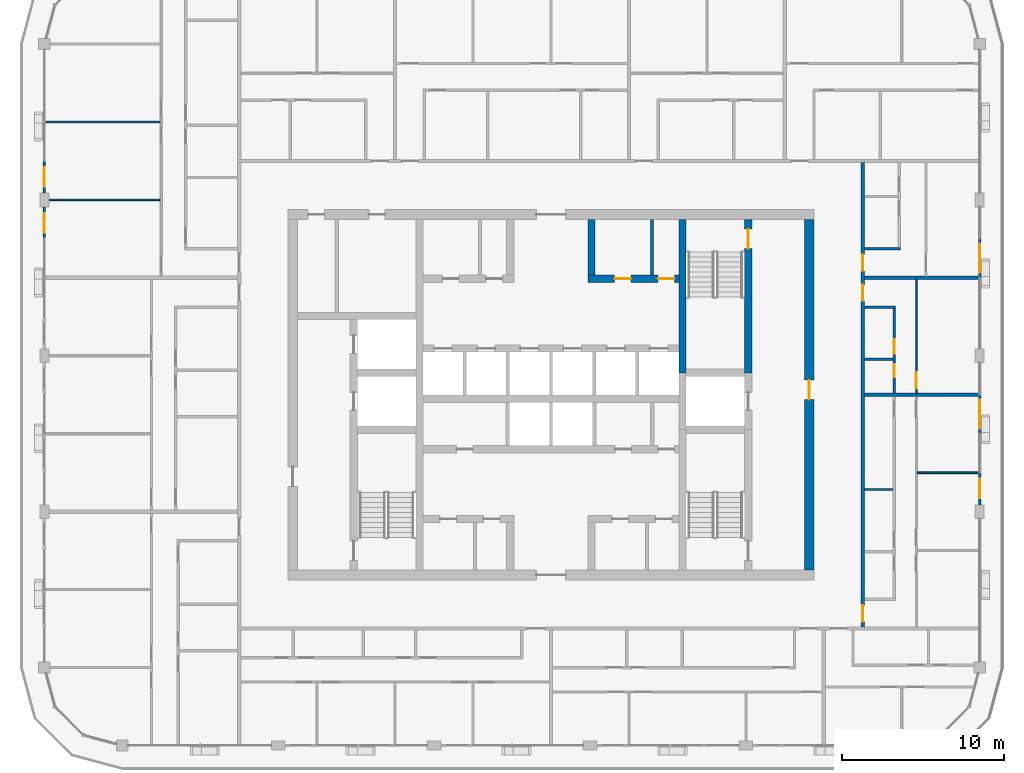
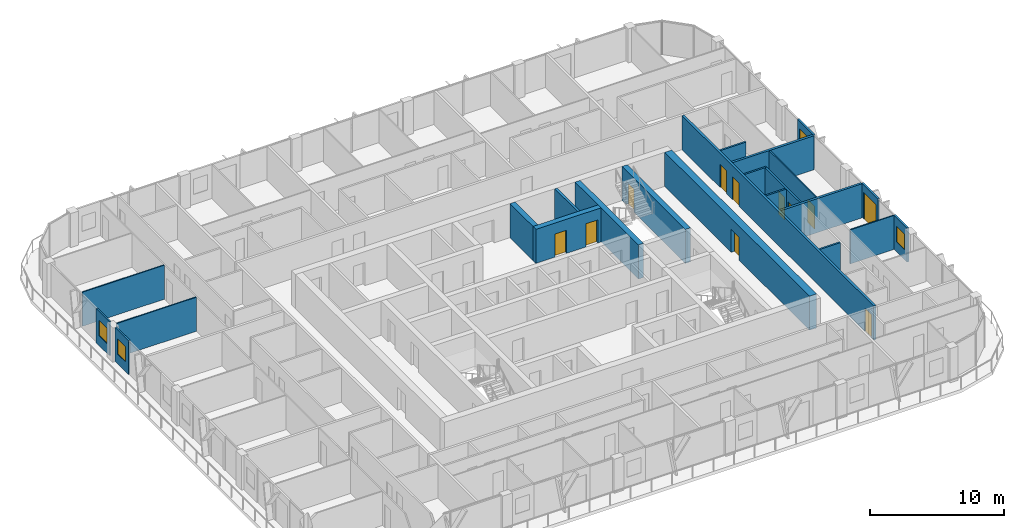
# One storey, part 13 of 22: 23 walls, 12 doors, 3 windows, 15 openings.
"""IFC4 building model written with IfcOpenShell, lengths in metres."""

from ifc_helpers import new_model, si_unit, direction, frame, frame_2d, origin, place, context, subcontext, project, spatial, rectangle, extrude, material, layer, layer_set, type_object, element, fill, save


model = new_model("IFC4")

# Units and contexts
model_context = context("Model", 3, precision=1e-05, world=origin(), true_north=direction((0.0, 1.0)))
body_context = subcontext(model_context, "Body", "Model", "MODEL_VIEW")
ifc_project = project(units=[si_unit("LENGTHUNIT", "METRE"), si_unit("AREAUNIT", "SQUARE_METRE"), si_unit("VOLUMEUNIT", "CUBIC_METRE"), si_unit("PLANEANGLEUNIT", "RADIAN"), si_unit("MASSUNIT", "GRAM", prefix="KILO")], contexts=[model_context])

# Site, building, storey
site_placement = place(None, origin())
site = spatial("IfcSite", under=ifc_project, at=site_placement, CompositionType="ELEMENT")
building_placement = place(site_placement, origin())
building = spatial("IfcBuilding", under=site, at=building_placement, Name="Madar Terraces", CompositionType="ELEMENT")
storey_placement = place(building_placement, frame((0.0, 0.0, 259.699951171875)))
storey = spatial("IfcBuildingStorey", under=building, at=storey_placement, Name="L68", CompositionType="ELEMENT", Elevation=259.699951171875)

# Wall
ifc_material_1 = material(Name="Concrete C55/67", Category="concrete")
ifc_layer_1 = layer(ifc_material_1, 0.449951171875)
ifc_layer_set_1 = layer_set([ifc_layer_1], Name="Concrete C55/67 (CIW5 RC wall 450)")
wall_type_1 = type_object("IfcWallType", Name="CIW5 RC wall 450", PredefinedType="SHEAR", material=ifc_layer_set_1)
wall_1_placement = place(storey_placement, frame((39.300048828125, 27.75, 0.0), z_axis=(0.0, 0.0, 1.0), x_axis=(0.0, 1.0, 0.0)))
element("IfcWall", 1, at=wall_1_placement, inside=storey, type_object=wall_type_1, Name="CORE SHAFT WALL", PredefinedType="SHEAR", context=body_context, shape_type="SweptSolid", body=[
    extrude(rectangle(XDim=9.449951171875, YDim=0.449951171875, at=frame_2d((4.72509765625, 0.0))), origin(), (0.0, 0.0, 1.0), 3.10009765625),
])

# Wall, opening, door
wall_2_placement = place(storey_placement, frame((43.35009765625, 27.75, 0.0), z_axis=(0.0, 0.0, 1.0), x_axis=(0.0, 1.0, 0.0)))
wall_2 = element("IfcWall", 2, at=wall_2_placement, inside=storey, type_object=wall_type_1, Name="CORE SHAFT WALL", PredefinedType="SHEAR", context=body_context, shape_type="SweptSolid", body=[
    extrude(rectangle(XDim=9.449951171875, YDim=0.449951171875, at=frame_2d((4.72509765625, 0.0))), origin(), (0.0, 0.0, 1.0), 3.10009765625),
])
opening_1_placement = place(wall_2_placement, frame((7.64990234375, 0.0, 0.0)))
opening_1 = element("IfcOpeningElement", 3, at=opening_1_placement, cuts=wall_2, Name="Opening SD1", PredefinedType="OPENING", context=body_context, shape_type="SweptSolid", body=[
    extrude(rectangle(XDim=1.199951171875, YDim=2.10009765625, at=frame_2d((0.60009765625, 1.050048828125))), frame((0.0, 0.23486328125, 0.0), z_axis=(0.0, -1.0, 0.0), x_axis=(1.0, 0.0, 0.0)), (0.0, 0.0, 1.0), 0.469970703125),
])
ifc_material_2 = material(Name="Steel door leaf", Category="steel")
door_type_1 = type_object("IfcDoorType", Name="Stair door 1200 x 2100", OperationType="NOTDEFINED", PredefinedType="DOOR", material=ifc_material_2)
door_1_placement = place(opening_1_placement, origin())
door_1 = element("IfcDoor", 4, at=door_1_placement, inside=storey, type_object=door_type_1, Name="STAIR DOOR", OperationType="SINGLE_SWING_RIGHT", OverallHeight=2.10009765625, OverallWidth=1.199951171875, PredefinedType="DOOR", context=body_context, shape_type="SweptSolid", body=[
    extrude(rectangle(XDim=1.199951171875, YDim=2.10009765625, at=frame_2d((0.60009765625, 1.050048828125))), frame((0.0, 0.02490234375, 0.0), z_axis=(0.0, -1.0, 0.0), x_axis=(1.0, 0.0, 0.0)), (0.0, 0.0, 1.0), 0.050048828125),
])
fill(opening_1, door_1)

# Wall, openings, doors
wall_3_placement = place(storey_placement, frame((33.47509765625, 33.550048828125, 0.0), z_axis=(0.0, 0.0, 1.0), x_axis=(1.0, 0.0, 0.0)))
wall_3 = element("IfcWall", 5, at=wall_3_placement, inside=storey, type_object=wall_type_1, Name="CORE SHAFT WALL", PredefinedType="SHEAR", context=body_context, shape_type="SweptSolid", body=[
    extrude(rectangle(XDim=5.599853515625, YDim=0.449951171875, at=frame_2d((2.7998046875, 0.0))), origin(), (0.0, 0.0, 1.0), 3.10009765625),
])
opening_2_placement = place(wall_3_placement, frame((1.65087890625, 0.0, 0.0)))
opening_2 = element("IfcOpeningElement", 6, at=opening_2_placement, cuts=wall_3, Name="Opening KD2", PredefinedType="OPENING", context=body_context, shape_type="SweptSolid", body=[
    extrude(rectangle(XDim=1.0, YDim=2.10009765625, at=frame_2d((0.5, 1.050048828125))), frame((0.0, 0.23486328125, 0.0), z_axis=(0.0, -1.0, 0.0), x_axis=(1.0, 0.0, 0.0)), (0.0, 0.0, 1.0), 0.469970703125),
])
opening_3_placement = place(wall_3_placement, frame((4.325927734375, 0.0, 0.0)))
opening_3 = element("IfcOpeningElement", 7, at=opening_3_placement, cuts=wall_3, Name="Opening KD2", PredefinedType="OPENING", context=body_context, shape_type="SweptSolid", body=[
    extrude(rectangle(XDim=1.0, YDim=2.10009765625, at=frame_2d((0.5, 1.050048828125))), frame((0.0, 0.23486328125, 0.0), z_axis=(0.0, -1.0, 0.0), x_axis=(1.0, 0.0, 0.0)), (0.0, 0.0, 1.0), 0.469970703125),
])
ifc_material_3 = material(Name="Steel door leaf", Category="steel")
door_type_2 = type_object("IfcDoorType", Name="Service room door 1000 x 2100", OperationType="NOTDEFINED", PredefinedType="DOOR", material=ifc_material_3)
door_2_placement = place(opening_2_placement, frame((1.0, 0.0, 0.0), z_axis=(0.0, 0.0, 1.0), x_axis=(-1.0, 0.0, 0.0)))
door_2 = element("IfcDoor", 8, at=door_2_placement, inside=storey, type_object=door_type_2, Name="SERVICE ROOM DOOR", OperationType="SINGLE_SWING_RIGHT", OverallHeight=2.10009765625, OverallWidth=1.0, PredefinedType="DOOR", context=body_context, shape_type="SweptSolid", body=[
    extrude(rectangle(XDim=1.0, YDim=2.10009765625, at=frame_2d((0.5, 1.050048828125))), frame((0.0, 0.02490234375, 0.0), z_axis=(0.0, -1.0, 0.0), x_axis=(1.0, 0.0, 0.0)), (0.0, 0.0, 1.0), 0.050048828125),
])
fill(opening_2, door_2)
door_3_placement = place(opening_3_placement, frame((1.0, 0.0, 0.0), z_axis=(0.0, 0.0, 1.0), x_axis=(-1.0, 0.0, 0.0)))
door_3 = element("IfcDoor", 9, at=door_3_placement, inside=storey, type_object=door_type_2, Name="SERVICE ROOM DOOR", OperationType="SINGLE_SWING_LEFT", OverallHeight=2.10009765625, OverallWidth=1.0, PredefinedType="DOOR", context=body_context, shape_type="SweptSolid", body=[
    extrude(rectangle(XDim=1.0, YDim=2.10009765625, at=frame_2d((0.5, 1.050048828125))), frame((0.0, 0.02490234375, 0.0), z_axis=(0.0, -1.0, 0.0), x_axis=(1.0, 0.0, 0.0)), (0.0, 0.0, 1.0), 0.050048828125),
])
fill(opening_3, door_3)

# Wall
wall_4_placement = place(storey_placement, frame((33.699951171875, 33.77490234375, 0.0), z_axis=(0.0, 0.0, 1.0), x_axis=(0.0, 1.0, 0.0)))
element("IfcWall", 10, at=wall_4_placement, inside=storey, type_object=wall_type_1, Name="CORE SHAFT WALL", PredefinedType="SHEAR", context=body_context, shape_type="SweptSolid", body=[
    extrude(rectangle(XDim=3.425048828125, YDim=0.449951171875, at=frame_2d((1.71240234375, 0.0))), origin(), (0.0, 0.0, 1.0), 3.10009765625),
])

# Wall, opening, door
ifc_material_4 = material(Name="Concrete C55/67", Category="concrete")
ifc_layer_2 = layer(ifc_material_4, 0.60009765625)
ifc_layer_set_2 = layer_set([ifc_layer_2], Name="Concrete C55/67 (CRW5 RC wall 600)")
wall_type_2 = type_object("IfcWallType", Name="CRW5 RC wall 600", PredefinedType="SHEAR", material=ifc_layer_set_2)
wall_5_placement = place(storey_placement, frame((47.10009765625, 15.60009765625, 0.0), z_axis=(0.0, 0.0, 1.0), x_axis=(0.0, 1.0, 0.0)))
wall_5 = element("IfcWall", 11, at=wall_5_placement, inside=storey, type_object=wall_type_2, Name="CORE OUTER WALL", PredefinedType="SHEAR", context=body_context, shape_type="SweptSolid", body=[
    extrude(rectangle(XDim=21.599853515625, YDim=0.60009765625, at=frame_2d((10.7998046875, 0.0))), origin(), (0.0, 0.0, 1.0), 3.10009765625),
])
opening_4_placement = place(wall_5_placement, frame((10.5, 0.0, 0.0)))
opening_4 = element("IfcOpeningElement", 12, at=opening_4_placement, cuts=wall_5, Name="Opening SD1", PredefinedType="OPENING", context=body_context, shape_type="SweptSolid", body=[
    extrude(rectangle(XDim=1.199951171875, YDim=2.10009765625, at=frame_2d((0.60009765625, 1.050048828125))), frame((0.0, 0.31005859375, 0.0), z_axis=(0.0, -1.0, 0.0), x_axis=(1.0, 0.0, 0.0)), (0.0, 0.0, 1.0), 0.6201171875),
])
door_4_placement = place(opening_4_placement, origin())
door_4 = element("IfcDoor", 13, at=door_4_placement, inside=storey, type_object=door_type_1, Name="STAIR DOOR", OperationType="SINGLE_SWING_RIGHT", OverallHeight=2.10009765625, OverallWidth=1.199951171875, PredefinedType="DOOR", context=body_context, shape_type="SweptSolid", body=[
    extrude(rectangle(XDim=1.199951171875, YDim=2.10009765625, at=frame_2d((0.60009765625, 1.050048828125))), frame((0.0, 0.02490234375, 0.0), z_axis=(0.0, -1.0, 0.0), x_axis=(1.0, 0.0, 0.0)), (0.0, 0.0, 1.0), 0.050048828125),
])
fill(opening_4, door_4)

# Wall
ifc_material_5 = material(Name="Masonry blockwork", Category="masonry")
ifc_layer_3 = layer(ifc_material_5, 0.199951171875)
ifc_layer_set_3 = layer_set([ifc_layer_3], Name="Core partition 200 blockwork")
wall_type_3 = type_object("IfcWallType", Name="Core partition 200 blockwork", PredefinedType="PARTITIONING", material=ifc_layer_set_3)
wall_6_placement = place(storey_placement, frame((37.427001953125, 33.77490234375, 0.0), z_axis=(0.0, 0.0, 1.0), x_axis=(0.0, 1.0, 0.0)))
element("IfcWall", 14, at=wall_6_placement, inside=storey, type_object=wall_type_3, Name="SERVICE ROOM PARTITION", PredefinedType="PARTITIONING", context=body_context, shape_type="SweptSolid", body=[
    extrude(rectangle(XDim=3.425048828125, YDim=0.199951171875, at=frame_2d((1.71240234375, 0.0))), origin(), (0.0, 0.0, 1.0), 3.10009765625),
])

# Wall, opening, window
ifc_material_6 = material(Name="Aluminium composite panel, black, over insulated backing", Category="aluminium")
ifc_layer_4 = layer(ifc_material_6, 0.14990234375)
ifc_layer_set_4 = layer_set([ifc_layer_4], Name="Facade bay panel 150")
wall_type_4 = type_object("IfcWallType", Name="Facade bay panel 150", PredefinedType="SOLIDWALL", material=ifc_layer_set_4)
wall_7_placement = place(storey_placement, frame((57.60009765625, 19.625, 0.0), z_axis=(0.0, 0.0, 1.0), x_axis=(0.0, 1.0, 0.0)))
wall_7 = element("IfcWall", 15, at=wall_7_placement, inside=storey, type_object=wall_type_4, Name="Facade bay panel", PredefinedType="SOLIDWALL", context=body_context, shape_type="SweptSolid", body=[
    extrude(rectangle(XDim=1.97509765625, YDim=0.14990234375, at=frame_2d((0.987548828125, 0.0))), origin(), (0.0, 0.0, 1.0), 3.10009765625),
])
opening_5_placement = place(wall_7_placement, frame((0.387451171875, 0.0, 0.89990234375)))
opening_5 = element("IfcOpeningElement", 16, at=opening_5_placement, cuts=wall_7, Name="Opening W1", PredefinedType="OPENING", context=body_context, shape_type="SweptSolid", body=[
    extrude(rectangle(XDim=1.199951171875, YDim=1.39990234375, at=frame_2d((0.60009765625, 0.699951171875))), frame((0.0, 0.0849609375, 0.0), z_axis=(0.0, -1.0, 0.0), x_axis=(1.0, 0.0, 0.0)), (0.0, 0.0, 1.0), 0.169921875),
])
ifc_material_7 = material(Name="Glass, clear, with black aluminium frame", Category="aluminium")
window_type = type_object("IfcWindowType", Name="Vent window 1200 x 1400", PartitioningType="SINGLE_PANEL", PredefinedType="WINDOW", material=ifc_material_7)
window_1_placement = place(opening_5_placement, origin())
window_1 = element("IfcWindow", 17, at=window_1_placement, inside=storey, type_object=window_type, Name="Operable vent window", OverallHeight=1.39990234375, OverallWidth=1.199951171875, PartitioningType="SINGLE_PANEL", PredefinedType="WINDOW", context=body_context, shape_type="SweptSolid", body=[
    extrude(rectangle(XDim=1.199951171875, YDim=1.39990234375, at=frame_2d((0.60009765625, 0.699951171875))), frame((0.0, 0.030029296875, 0.0), z_axis=(0.0, -1.0, 0.0), x_axis=(1.0, 0.0, 0.0)), (0.0, 0.0, 1.0), 0.06005859375),
])
fill(opening_5, window_1)

# Wall, opening, door
wall_8_placement = place(storey_placement, frame((57.60009765625, 24.0, 0.0), z_axis=(0.0, 0.0, 1.0), x_axis=(0.0, 1.0, 0.0)))
wall_8 = element("IfcWall", 18, at=wall_8_placement, inside=storey, type_object=wall_type_4, Name="Facade bay panel", PredefinedType="SOLIDWALL", context=body_context, shape_type="SweptSolid", body=[
    extrude(rectangle(XDim=2.39990234375, YDim=0.14990234375, at=frame_2d((1.199951171875, 0.0))), origin(), (0.0, 0.0, 1.0), 3.10009765625),
])
opening_6_placement = place(wall_8_placement, frame((0.300048828125, 0.0, 0.0)))
opening_6 = element("IfcOpeningElement", 19, at=opening_6_placement, cuts=wall_8, Name="Opening ED1", PredefinedType="OPENING", context=body_context, shape_type="SweptSolid", body=[
    extrude(rectangle(XDim=1.800048828125, YDim=2.39990234375, at=frame_2d((0.89990234375, 1.199951171875))), frame((0.0, 0.0849609375, 0.0), z_axis=(0.0, -1.0, 0.0), x_axis=(1.0, 0.0, 0.0)), (0.0, 0.0, 1.0), 0.169921875),
])
ifc_material_8 = material(Name="Glass, clear, with black aluminium frame", Category="aluminium")
door_type_3 = type_object("IfcDoorType", Name="Balcony and terrace sliding door 1800 x 2400", OperationType="SLIDING_TO_LEFT", PredefinedType="DOOR", material=ifc_material_8)
door_5_placement = place(opening_6_placement, origin())
door_5 = element("IfcDoor", 20, at=door_5_placement, inside=storey, type_object=door_type_3, Name="Balcony door", OperationType="SLIDING_TO_LEFT", OverallHeight=2.39990234375, OverallWidth=1.800048828125, PredefinedType="DOOR", context=body_context, shape_type="SweptSolid", body=[
    extrude(rectangle(XDim=1.800048828125, YDim=2.39990234375, at=frame_2d((0.89990234375, 1.199951171875))), frame((0.0, 0.02490234375, 0.0), z_axis=(0.0, -1.0, 0.0), x_axis=(1.0, 0.0, 0.0)), (0.0, 0.0, 1.0), 0.050048828125),
])
fill(opening_6, door_5)

wall_9_placement = place(storey_placement, frame((57.60009765625, 33.60009765625, 0.0), z_axis=(0.0, 0.0, 1.0), x_axis=(0.0, 1.0, 0.0)))
wall_9 = element("IfcWall", 21, at=wall_9_placement, inside=storey, type_object=wall_type_4, Name="Facade bay panel", PredefinedType="SOLIDWALL", context=body_context, shape_type="SweptSolid", body=[
    extrude(rectangle(XDim=2.39990234375, YDim=0.14990234375, at=frame_2d((1.199951171875, 0.0))), origin(), (0.0, 0.0, 1.0), 3.10009765625),
])
opening_7_placement = place(wall_9_placement, frame((0.300048828125, 0.0, 0.0)))
opening_7 = element("IfcOpeningElement", 22, at=opening_7_placement, cuts=wall_9, Name="Opening ED1", PredefinedType="OPENING", context=body_context, shape_type="SweptSolid", body=[
    extrude(rectangle(XDim=1.800048828125, YDim=2.39990234375, at=frame_2d((0.89990234375, 1.199951171875))), frame((0.0, 0.0849609375, 0.0), z_axis=(0.0, -1.0, 0.0), x_axis=(1.0, 0.0, 0.0)), (0.0, 0.0, 1.0), 0.169921875),
])
door_6_placement = place(opening_7_placement, origin())
door_6 = element("IfcDoor", 23, at=door_6_placement, inside=storey, type_object=door_type_3, Name="Balcony door", OperationType="SLIDING_TO_RIGHT", OverallHeight=2.39990234375, OverallWidth=1.800048828125, PredefinedType="DOOR", context=body_context, shape_type="SweptSolid", body=[
    extrude(rectangle(XDim=1.800048828125, YDim=2.39990234375, at=frame_2d((0.89990234375, 1.199951171875))), frame((0.0, 0.02490234375, 0.0), z_axis=(0.0, -1.0, 0.0), x_axis=(1.0, 0.0, 0.0)), (0.0, 0.0, 1.0), 0.050048828125),
])
fill(opening_7, door_6)

# Wall, opening, window
wall_10_placement = place(storey_placement, frame((0.0, 40.800048828125, 0.0), z_axis=(0.0, 0.0, 1.0), x_axis=(0.0, -1.0, 0.0)))
wall_10 = element("IfcWall", 24, at=wall_10_placement, inside=storey, type_object=wall_type_4, Name="Facade bay panel", PredefinedType="SOLIDWALL", context=body_context, shape_type="SweptSolid", body=[
    extrude(rectangle(XDim=1.97509765625, YDim=0.14990234375, at=frame_2d((0.987548828125, 0.0))), origin(), (0.0, 0.0, 1.0), 3.10009765625),
])
opening_8_placement = place(wall_10_placement, frame((0.387451171875, 0.0, 0.89990234375)))
opening_8 = element("IfcOpeningElement", 25, at=opening_8_placement, cuts=wall_10, Name="Opening W1", PredefinedType="OPENING", context=body_context, shape_type="SweptSolid", body=[
    extrude(rectangle(XDim=1.199951171875, YDim=1.39990234375, at=frame_2d((0.60009765625, 0.699951171875))), frame((0.0, 0.0849609375, 0.0), z_axis=(0.0, -1.0, 0.0), x_axis=(1.0, 0.0, 0.0)), (0.0, 0.0, 1.0), 0.169921875),
])
window_2_placement = place(opening_8_placement, origin())
window_2 = element("IfcWindow", 26, at=window_2_placement, inside=storey, type_object=window_type, Name="Operable vent window", OverallHeight=1.39990234375, OverallWidth=1.199951171875, PartitioningType="SINGLE_PANEL", PredefinedType="WINDOW", context=body_context, shape_type="SweptSolid", body=[
    extrude(rectangle(XDim=1.199951171875, YDim=1.39990234375, at=frame_2d((0.60009765625, 0.699951171875))), frame((0.0, 0.030029296875, 0.0), z_axis=(0.0, -1.0, 0.0), x_axis=(1.0, 0.0, 0.0)), (0.0, 0.0, 1.0), 0.06005859375),
])
fill(opening_8, window_2)

wall_11_placement = place(storey_placement, frame((0.0, 37.97509765625, 0.0), z_axis=(0.0, 0.0, 1.0), x_axis=(0.0, -1.0, 0.0)))
wall_11 = element("IfcWall", 27, at=wall_11_placement, inside=storey, type_object=wall_type_4, Name="Facade bay panel", PredefinedType="SOLIDWALL", context=body_context, shape_type="SweptSolid", body=[
    extrude(rectangle(XDim=1.97509765625, YDim=0.14990234375, at=frame_2d((0.987548828125, 0.0))), origin(), (0.0, 0.0, 1.0), 3.10009765625),
])
opening_9_placement = place(wall_11_placement, frame((0.387451171875, 0.0, 0.89990234375)))
opening_9 = element("IfcOpeningElement", 28, at=opening_9_placement, cuts=wall_11, Name="Opening W1", PredefinedType="OPENING", context=body_context, shape_type="SweptSolid", body=[
    extrude(rectangle(XDim=1.199951171875, YDim=1.39990234375, at=frame_2d((0.60009765625, 0.699951171875))), frame((0.0, 0.0849609375, 0.0), z_axis=(0.0, -1.0, 0.0), x_axis=(1.0, 0.0, 0.0)), (0.0, 0.0, 1.0), 0.169921875),
])
window_3_placement = place(opening_9_placement, origin())
window_3 = element("IfcWindow", 29, at=window_3_placement, inside=storey, type_object=window_type, Name="Operable vent window", OverallHeight=1.39990234375, OverallWidth=1.199951171875, PartitioningType="SINGLE_PANEL", PredefinedType="WINDOW", context=body_context, shape_type="SweptSolid", body=[
    extrude(rectangle(XDim=1.199951171875, YDim=1.39990234375, at=frame_2d((0.60009765625, 0.699951171875))), frame((0.0, 0.030029296875, 0.0), z_axis=(0.0, -1.0, 0.0), x_axis=(1.0, 0.0, 0.0)), (0.0, 0.0, 1.0), 0.06005859375),
])
fill(opening_9, window_3)

# Wall
ifc_material_9 = material(Name="Gypsum board on steel studs", Category="steel")
ifc_layer_5 = layer(ifc_material_9, 0.10009765625)
ifc_layer_set_5 = layer_set([ifc_layer_5], Name="Flat partition 100")
wall_type_5 = type_object("IfcWallType", Name="Flat partition 100", PredefinedType="PARTITIONING", material=ifc_layer_set_5)
wall_12_placement = place(storey_placement, frame((53.75, 21.60009765625, 0.0), z_axis=(0.0, 0.0, 1.0), x_axis=(1.0, 0.0, 0.0)))
element("IfcWall", 30, at=wall_12_placement, inside=storey, type_object=wall_type_5, Name="Flat partition 100", PredefinedType="PARTITIONING", context=body_context, shape_type="SweptSolid", body=[
    extrude(rectangle(XDim=3.75, YDim=0.10009765625, at=frame_2d((1.875, 0.0))), origin(), (0.0, 0.0, 1.0), 3.10009765625),
])

# Wall, opening, door
wall_13_placement = place(storey_placement, frame((53.699951171875, 33.5, 0.0), z_axis=(0.0, 0.0, 1.0), x_axis=(0.0, -1.0, 0.0)))
wall_13 = element("IfcWall", 31, at=wall_13_placement, inside=storey, type_object=wall_type_5, Name="Flat partition 100", PredefinedType="PARTITIONING", context=body_context, shape_type="SweptSolid", body=[
    extrude(rectangle(XDim=7.0, YDim=0.10009765625, at=frame_2d((3.5, 0.0))), origin(), (0.0, 0.0, 1.0), 3.10009765625),
])
opening_10_placement = place(wall_13_placement, frame((5.699951171875, 0.0, 0.0)))
opening_10 = element("IfcOpeningElement", 32, at=opening_10_placement, cuts=wall_13, Name="Opening D3", PredefinedType="OPENING", context=body_context, shape_type="SweptSolid", body=[
    extrude(rectangle(XDim=1.0, YDim=2.10009765625, at=frame_2d((0.5, 1.050048828125))), frame((0.0, 0.06005859375, 0.0), z_axis=(0.0, -1.0, 0.0), x_axis=(1.0, 0.0, 0.0)), (0.0, 0.0, 1.0), 0.1201171875),
])
ifc_material_10 = material(Name="Timber door leaf", Category="wood")
door_type_4 = type_object("IfcDoorType", Name="Flat living room door 1000", OperationType="NOTDEFINED", PredefinedType="DOOR", material=ifc_material_10)
door_7_placement = place(opening_10_placement, origin())
door_7 = element("IfcDoor", 33, at=door_7_placement, inside=storey, type_object=door_type_4, Name="Flat living room door 1000", OperationType="SINGLE_SWING_RIGHT", OverallHeight=2.10009765625, OverallWidth=1.0, PredefinedType="DOOR", context=body_context, shape_type="SweptSolid", body=[
    extrude(rectangle(XDim=1.0, YDim=2.10009765625, at=frame_2d((0.5, 1.050048828125))), frame((0.0, 0.02490234375, 0.0), z_axis=(0.0, -1.0, 0.0), x_axis=(1.0, 0.0, 0.0)), (0.0, 0.0, 1.0), 0.050048828125),
])
fill(opening_10, door_7)

# Walls
wall_14_placement = place(storey_placement, frame((7.14990234375, 38.39990234375, 0.0), z_axis=(0.0, 0.0, 1.0), x_axis=(-1.0, 0.0, 0.0)))
element("IfcWall", 34, at=wall_14_placement, inside=storey, type_object=wall_type_5, Name="Flat partition 100", PredefinedType="PARTITIONING", context=body_context, shape_type="SweptSolid", body=[
    extrude(rectangle(XDim=6.875, YDim=0.10009765625, at=frame_2d((3.4375, 0.0))), origin(), (0.0, 0.0, 1.0), 3.10009765625),
])
wall_15_placement = place(storey_placement, frame((7.14990234375, 43.199951171875, 0.0), z_axis=(0.0, 0.0, 1.0), x_axis=(-1.0, 0.0, 0.0)))
element("IfcWall", 35, at=wall_15_placement, inside=storey, type_object=wall_type_5, Name="Flat partition 100", PredefinedType="PARTITIONING", context=body_context, shape_type="SweptSolid", body=[
    extrude(rectangle(XDim=7.0498046875, YDim=0.10009765625, at=frame_2d((3.52490234375, 0.0))), origin(), (0.0, 0.0, 1.0), 3.10009765625),
])

# Wall, openings, doors
ifc_material_11 = material(Name="Lightweight blockwork", Category="masonry")
ifc_layer_6 = layer(ifc_material_11, 0.199951171875)
ifc_layer_set_6 = layer_set([ifc_layer_6], Name="Flat party and entrance wall 200")
wall_type_6 = type_object("IfcWallType", Name="Flat party and entrance wall 200", PredefinedType="PARTITIONING", material=ifc_layer_set_6)
wall_16_placement = place(storey_placement, frame((50.39990234375, 40.699951171875, 0.0), z_axis=(0.0, 0.0, 1.0), x_axis=(0.0, -1.0, 0.0)))
wall_16 = element("IfcWall", 36, at=wall_16_placement, inside=storey, type_object=wall_type_6, Name="Flat party and entrance wall 200", PredefinedType="PARTITIONING", context=body_context, shape_type="SweptSolid", body=[
    extrude(rectangle(XDim=28.599853515625, YDim=0.199951171875, at=frame_2d((14.2998046875, 0.0))), origin(), (0.0, 0.0, 1.0), 3.10009765625),
])
opening_11_placement = place(wall_16_placement, frame((27.27490234375, 0.0, 0.0)))
opening_11 = element("IfcOpeningElement", 37, at=opening_11_placement, cuts=wall_16, Name="Opening D1", PredefinedType="OPENING", context=body_context, shape_type="SweptSolid", body=[
    extrude(rectangle(XDim=1.0, YDim=2.10009765625, at=frame_2d((0.5, 1.050048828125))), frame((0.0, 0.10986328125, 0.0), z_axis=(0.0, -1.0, 0.0), x_axis=(1.0, 0.0, 0.0)), (0.0, 0.0, 1.0), 0.219970703125),
])
opening_12_placement = place(wall_16_placement, frame((7.52490234375, 0.0, 0.0)))
opening_12 = element("IfcOpeningElement", 38, at=opening_12_placement, cuts=wall_16, Name="Opening D1", PredefinedType="OPENING", context=body_context, shape_type="SweptSolid", body=[
    extrude(rectangle(XDim=1.0, YDim=2.10009765625, at=frame_2d((0.5, 1.050048828125))), frame((0.0, 0.10986328125, 0.0), z_axis=(0.0, -1.0, 0.0), x_axis=(1.0, 0.0, 0.0)), (0.0, 0.0, 1.0), 0.219970703125),
])
opening_13_placement = place(wall_16_placement, frame((5.675048828125, 0.0, 0.0)))
opening_13 = element("IfcOpeningElement", 39, at=opening_13_placement, cuts=wall_16, Name="Opening D1", PredefinedType="OPENING", context=body_context, shape_type="SweptSolid", body=[
    extrude(rectangle(XDim=1.0, YDim=2.10009765625, at=frame_2d((0.5, 1.050048828125))), frame((0.0, 0.10986328125, 0.0), z_axis=(0.0, -1.0, 0.0), x_axis=(1.0, 0.0, 0.0)), (0.0, 0.0, 1.0), 0.219970703125),
])
ifc_material_12 = material(Name="Timber fire door leaf", Category="wood")
door_type_5 = type_object("IfcDoorType", Name="Flat entrance door 1000 FD30S", OperationType="NOTDEFINED", PredefinedType="DOOR", material=ifc_material_12)
door_8_placement = place(opening_11_placement, origin())
door_8 = element("IfcDoor", 40, at=door_8_placement, inside=storey, type_object=door_type_5, Name="Flat entrance door 1000 FD30S", OperationType="SINGLE_SWING_RIGHT", OverallHeight=2.10009765625, OverallWidth=1.0, PredefinedType="DOOR", context=body_context, shape_type="SweptSolid", body=[
    extrude(rectangle(XDim=1.0, YDim=2.10009765625, at=frame_2d((0.5, 1.050048828125))), frame((0.0, 0.02490234375, 0.0), z_axis=(0.0, -1.0, 0.0), x_axis=(1.0, 0.0, 0.0)), (0.0, 0.0, 1.0), 0.050048828125),
])
fill(opening_11, door_8)
door_9_placement = place(opening_12_placement, origin())
door_9 = element("IfcDoor", 41, at=door_9_placement, inside=storey, type_object=door_type_5, Name="Flat entrance door 1000 FD30S", OperationType="SINGLE_SWING_LEFT", OverallHeight=2.10009765625, OverallWidth=1.0, PredefinedType="DOOR", context=body_context, shape_type="SweptSolid", body=[
    extrude(rectangle(XDim=1.0, YDim=2.10009765625, at=frame_2d((0.5, 1.050048828125))), frame((0.0, 0.02490234375, 0.0), z_axis=(0.0, -1.0, 0.0), x_axis=(1.0, 0.0, 0.0)), (0.0, 0.0, 1.0), 0.050048828125),
])
fill(opening_12, door_9)
door_10_placement = place(opening_13_placement, origin())
door_10 = element("IfcDoor", 42, at=door_10_placement, inside=storey, type_object=door_type_5, Name="Flat entrance door 1000 FD30S", OperationType="SINGLE_SWING_RIGHT", OverallHeight=2.10009765625, OverallWidth=1.0, PredefinedType="DOOR", context=body_context, shape_type="SweptSolid", body=[
    extrude(rectangle(XDim=1.0, YDim=2.10009765625, at=frame_2d((0.5, 1.050048828125))), frame((0.0, 0.02490234375, 0.0), z_axis=(0.0, -1.0, 0.0), x_axis=(1.0, 0.0, 0.0)), (0.0, 0.0, 1.0), 0.050048828125),
])
fill(opening_13, door_10)

# Walls
for number, where, z_axis, x_axis, name in (
    (43, (50.5, 26.39990234375, 0.0), (0.0, 0.0, 1.0), (1.0, 0.0, 0.0), "Flat party and entrance wall 200"),
    (44, (50.5, 33.60009765625, 0.0), (0.0, 0.0, 1.0), (1.0, 0.0, 0.0), "Flat party and entrance wall 200"),
):
    element("IfcWall", number, at=place(storey_placement, frame(where, z_axis=z_axis, x_axis=x_axis)), inside=storey, type_object=wall_type_6, Name=name, PredefinedType="PARTITIONING", context=body_context, shape_type="SweptSolid", body=[
        extrude(rectangle(XDim=7.0, YDim=0.199951171875, at=frame_2d((3.5, 0.0))), origin(), (0.0, 0.0, 1.0), 3.10009765625),
    ])
ifc_material_13 = material(Name="Lightweight blockwork", Category="masonry")
ifc_layer_7 = layer(ifc_material_13, 0.14990234375)
ifc_layer_set_7 = layer_set([ifc_layer_7], Name="Flat wet-room partition 150")
wall_type_7 = type_object("IfcWallType", Name="Flat wet-room partition 150", PredefinedType="PARTITIONING", material=ifc_layer_set_7)
for number, where, z_axis, x_axis, name in (
    (45, (50.5, 20.5654296875, 0.0), (0.0, 0.0, 1.0), (1.0, 0.0, 0.0), "Flat wet-room partition 150"),
    (46, (50.5, 28.590087890625, 0.0), (0.0, 0.0, 1.0), (1.0, 0.0, 0.0), "Flat wet-room partition 150"),
):
    element("IfcWall", number, at=place(storey_placement, frame(where, z_axis=z_axis, x_axis=x_axis)), inside=storey, type_object=wall_type_7, Name=name, PredefinedType="PARTITIONING", context=body_context, shape_type="SweptSolid", body=[
        extrude(rectangle(XDim=1.77490234375, YDim=0.14990234375, at=frame_2d((0.887451171875, 0.0))), origin(), (0.0, 0.0, 1.0), 3.10009765625),
    ])
wall_17_placement = place(storey_placement, frame((50.5, 31.800048828125, 0.0), z_axis=(0.0, 0.0, 1.0), x_axis=(1.0, 0.0, 0.0)))
element("IfcWall", 47, at=wall_17_placement, inside=storey, type_object=wall_type_7, Name="Flat wet-room partition 150", PredefinedType="PARTITIONING", context=body_context, shape_type="SweptSolid", body=[
    extrude(rectangle(XDim=1.925048828125, YDim=0.14990234375, at=frame_2d((0.96240234375, 0.0))), origin(), (0.0, 0.0, 1.0), 3.10009765625),
])

# Wall, openings, doors
wall_18_placement = place(storey_placement, frame((52.35009765625, 26.5, 0.0), z_axis=(0.0, 0.0, 1.0), x_axis=(0.0, 1.0, 0.0)))
wall_18 = element("IfcWall", 48, at=wall_18_placement, inside=storey, type_object=wall_type_7, Name="Flat wet-room partition 150", PredefinedType="PARTITIONING", context=body_context, shape_type="SweptSolid", body=[
    extrude(rectangle(XDim=5.22509765625, YDim=0.14990234375, at=frame_2d((2.612548828125, 0.0))), origin(), (0.0, 0.0, 1.0), 3.10009765625),
])
opening_14_placement = place(wall_18_placement, frame((2.4150390625, 0.0, 0.0)))
opening_14 = element("IfcOpeningElement", 49, at=opening_14_placement, cuts=wall_18, Name="Opening D2", PredefinedType="OPENING", context=body_context, shape_type="SweptSolid", body=[
    extrude(rectangle(XDim=0.89990234375, YDim=2.10009765625, at=frame_2d((0.449951171875, 1.050048828125))), frame((0.0, 0.0849609375, 0.0), z_axis=(0.0, -1.0, 0.0), x_axis=(1.0, 0.0, 0.0)), (0.0, 0.0, 1.0), 0.169921875),
])
opening_15_placement = place(wall_18_placement, frame((0.965087890625, 0.0, 0.0)))
opening_15 = element("IfcOpeningElement", 50, at=opening_15_placement, cuts=wall_18, Name="Opening D4", PredefinedType="OPENING", context=body_context, shape_type="SweptSolid", body=[
    extrude(rectangle(XDim=0.800048828125, YDim=2.10009765625, at=frame_2d((0.39990234375, 1.050048828125))), frame((0.0, 0.0849609375, 0.0), z_axis=(0.0, -1.0, 0.0), x_axis=(1.0, 0.0, 0.0)), (0.0, 0.0, 1.0), 0.169921875),
])
ifc_material_14 = material(Name="Timber door leaf", Category="wood")
door_type_6 = type_object("IfcDoorType", Name="Flat bathroom door 800", OperationType="NOTDEFINED", PredefinedType="DOOR", material=ifc_material_14)
door_11_placement = place(opening_15_placement, origin())
door_11 = element("IfcDoor", 51, at=door_11_placement, inside=storey, type_object=door_type_6, Name="Flat bathroom door 800", OperationType="SINGLE_SWING_RIGHT", OverallHeight=2.10009765625, OverallWidth=0.800048828125, PredefinedType="DOOR", context=body_context, shape_type="SweptSolid", body=[
    extrude(rectangle(XDim=0.800048828125, YDim=2.10009765625, at=frame_2d((0.39990234375, 1.050048828125))), frame((0.0, 0.02490234375, 0.0), z_axis=(0.0, -1.0, 0.0), x_axis=(1.0, 0.0, 0.0)), (0.0, 0.0, 1.0), 0.050048828125),
])
fill(opening_15, door_11)
ifc_material_15 = material(Name="Timber door leaf", Category="wood")
door_type_7 = type_object("IfcDoorType", Name="Flat room door 900", OperationType="NOTDEFINED", PredefinedType="DOOR", material=ifc_material_15)
door_12_placement = place(opening_14_placement, origin())
door_12 = element("IfcDoor", 52, at=door_12_placement, inside=storey, type_object=door_type_7, Name="Flat room door 900", OperationType="SINGLE_SWING_LEFT", OverallHeight=2.10009765625, OverallWidth=0.89990234375, PredefinedType="DOOR", context=body_context, shape_type="SweptSolid", body=[
    extrude(rectangle(XDim=0.89990234375, YDim=2.10009765625, at=frame_2d((0.449951171875, 1.050048828125))), frame((0.0, 0.02490234375, 0.0), z_axis=(0.0, -1.0, 0.0), x_axis=(1.0, 0.0, 0.0)), (0.0, 0.0, 1.0), 0.050048828125),
])
fill(opening_14, door_12)

# Wall
wall_19_placement = place(storey_placement, frame((50.5, 35.39990234375, 0.0), z_axis=(0.0, 0.0, 1.0), x_axis=(1.0, 0.0, 0.0)))
element("IfcWall", 53, at=wall_19_placement, inside=storey, type_object=wall_type_7, Name="Flat wet-room partition 150", PredefinedType="PARTITIONING", context=body_context, shape_type="SweptSolid", body=[
    extrude(rectangle(XDim=2.22509765625, YDim=0.14990234375, at=frame_2d((1.112548828125, 0.0))), origin(), (0.0, 0.0, 1.0), 3.10009765625),
])

save(model, "model.ifc")
